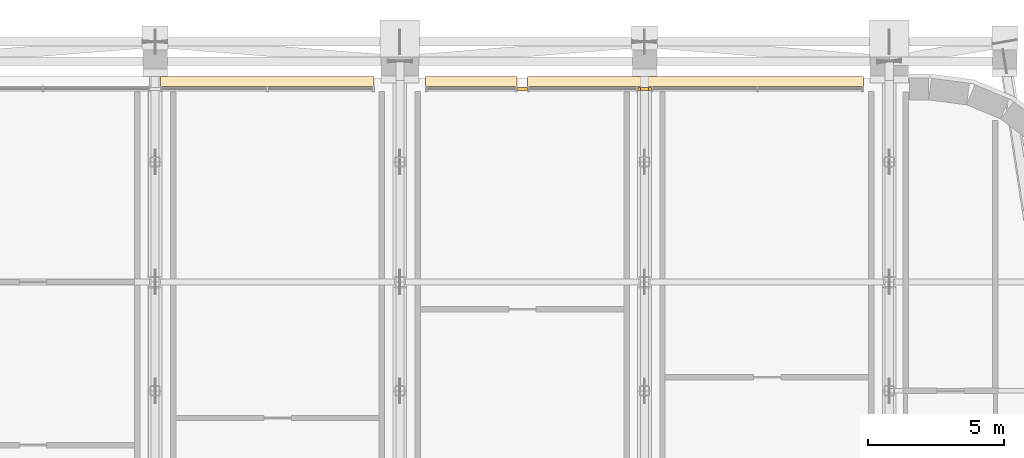
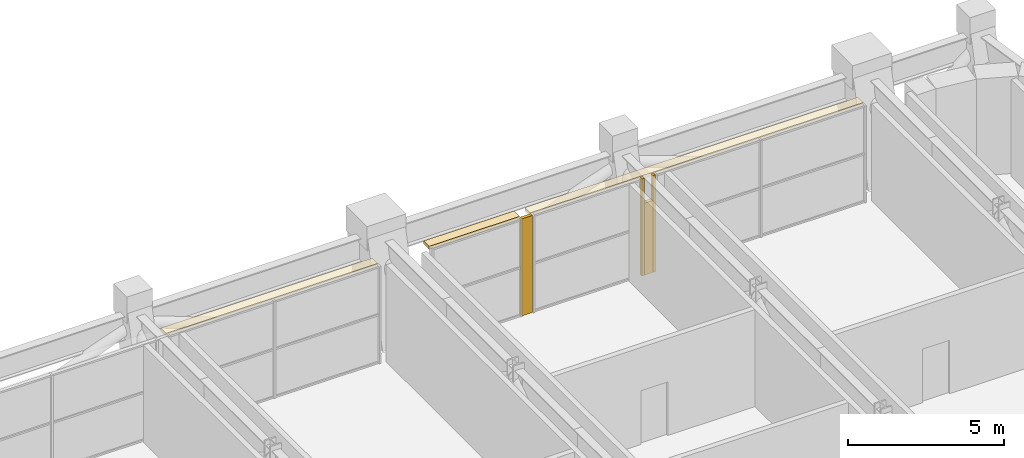
# One storey, part 25 of 26: 7 coverings.
"""IFC4 building model written with IfcOpenShell, lengths in metres."""

from ifc_helpers import new_model, si_unit, direction, frame, origin, origin_2d, place, context, subcontext, project, spatial, polyline, rectangle, outline, extrude, material, layer, layer_set, type_object, element, save


model = new_model("IFC4")

# Units and contexts
model_context = context("Model", 3, precision=1e-05, world=origin(), true_north=direction((0.0, 1.0)))
body_context = subcontext(model_context, "Body", "Model", "MODEL_VIEW")
ifc_project = project(units=[si_unit("LENGTHUNIT", "METRE"), si_unit("AREAUNIT", "SQUARE_METRE"), si_unit("VOLUMEUNIT", "CUBIC_METRE"), si_unit("PLANEANGLEUNIT", "RADIAN"), si_unit("MASSUNIT", "GRAM", prefix="KILO")], contexts=[model_context])

# Site, building, storey
site_placement = place(None, origin())
site = spatial("IfcSite", under=ifc_project, at=site_placement, CompositionType="ELEMENT")
building_placement = place(site_placement, origin())
building = spatial("IfcBuilding", under=site, at=building_placement, Name="Zellij Exchange Tower", CompositionType="ELEMENT")
storey_placement = place(building_placement, frame((0.0, 0.0, 216.5)))
storey = spatial("IfcBuildingStorey", under=building, at=storey_placement, Name="L50", CompositionType="ELEMENT", Elevation=216.5)

# Coverings
ifc_material_1 = material(Name="Limestone cladding", Category="masonry")
ifc_layer_1 = layer(ifc_material_1, 0.1201171875)
ifc_layer_set_1 = layer_set([ifc_layer_1], Name="Limestone cladding")
covering_type_1 = type_object("IfcCoveringType", Name="ENV-CV18 Glazing closer 120", PredefinedType="CLADDING", material=ifc_layer_set_1)
covering_1_placement = place(storey_placement, frame((13.5, 29.10009765625, 0.0), z_axis=(0.0, 0.0, 1.0), x_axis=(-1.0, 0.0, 0.0)))
element("IfcCovering", 1, at=covering_1_placement, inside=storey, type_object=covering_type_1, Name="Glazing closer", PredefinedType="CLADDING", context=body_context, shape_type="SweptSolid", body=[
    extrude(rectangle(XDim=0.39990234375, YDim=0.1201171875, at=origin_2d()), origin(), (0.0, 0.0, 1.0), 3.800048828125),
])
covering_2_placement = place(storey_placement, frame((18.0, 29.10009765625, 0.0), z_axis=(0.0, 0.0, 1.0), x_axis=(-1.0, 0.0, 0.0)))
element("IfcCovering", 2, at=covering_2_placement, inside=storey, type_object=covering_type_1, Name="Glazing closer", PredefinedType="CLADDING", context=body_context, shape_type="SweptSolid", body=[
    extrude(rectangle(XDim=0.2998046875, YDim=0.1201171875, at=origin_2d()), origin(), (0.0, 0.0, 1.0), 2.82470703125),
])
for number, where, z_axis, x_axis, name in (
    (3, (18.199951171875, 29.10009765625, 0.0), (0.0, 0.0, 1.0), (-1.0, 0.0, 0.0), "Glazing closer"),
    (4, (17.800048828125, 29.10009765625, 0.0), (0.0, 0.0, 1.0), (-1.0, 0.0, 0.0), "Glazing closer"),
):
    element("IfcCovering", number, at=place(storey_placement, frame(where, z_axis=z_axis, x_axis=x_axis)), inside=storey, type_object=covering_type_1, Name=name, PredefinedType="CLADDING", context=body_context, shape_type="SweptSolid", body=[
        extrude(rectangle(XDim=0.10009765625, YDim=0.1201171875, at=origin_2d()), origin(), (0.0, 0.0, 1.0), 3.800048828125),
    ])
ifc_material_2 = material(Name="Limestone sunshade", Category="masonry")
ifc_layer_2 = layer(ifc_material_2, 0.1201171875)
ifc_layer_set_2 = layer_set([ifc_layer_2], Name="Limestone sunshade")
covering_type_2 = type_object("IfcCoveringType", Name="ENV-SC2 Stone sunshade 120", PredefinedType="USERDEFINED", material=ifc_layer_set_2)
covering_3_placement = place(storey_placement, frame((0.0, 0.0, 3.679931640625)))
element("IfcCovering", 5, at=covering_3_placement, inside=storey, type_object=covering_type_2, Name="Stone sunshade", ObjectType="SUNSHADE", PredefinedType="USERDEFINED", context=body_context, shape_type="SweptSolid", body=[
    extrude(outline(polyline([(26.050048828125, 29.199951171875), (13.699951171875, 29.199951171875), (13.699951171875, 29.550048828125), (26.050048828125, 29.550048828125), (26.050048828125, 29.199951171875)])), origin(), (0.0, 0.0, 1.0), 0.1201171875),
])
covering_4_placement = place(storey_placement, frame((0.0, 0.0, 3.679931640625)))
element("IfcCovering", 6, at=covering_4_placement, inside=storey, type_object=covering_type_2, Name="Stone sunshade", ObjectType="SUNSHADE", PredefinedType="USERDEFINED", context=body_context, shape_type="SweptSolid", body=[
    extrude(outline(polyline([(13.300048828125, 29.199951171875), (9.949951171875, 29.199951171875), (9.949951171875, 29.550048828125), (13.300048828125, 29.550048828125), (13.300048828125, 29.199951171875)])), origin(), (0.0, 0.0, 1.0), 0.1201171875),
])
covering_5_placement = place(storey_placement, frame((0.0, 0.0, 3.679931640625)))
element("IfcCovering", 7, at=covering_5_placement, inside=storey, type_object=covering_type_2, Name="Stone sunshade", ObjectType="SUNSHADE", PredefinedType="USERDEFINED", context=body_context, shape_type="SweptSolid", body=[
    extrude(outline(polyline([(8.050048828125, 29.199951171875), (0.199951171875, 29.199951171875), (0.199951171875, 29.550048828125), (8.050048828125, 29.550048828125), (8.050048828125, 29.199951171875)])), origin(), (0.0, 0.0, 1.0), 0.1201171875),
])

save(model, "model.ifc")
